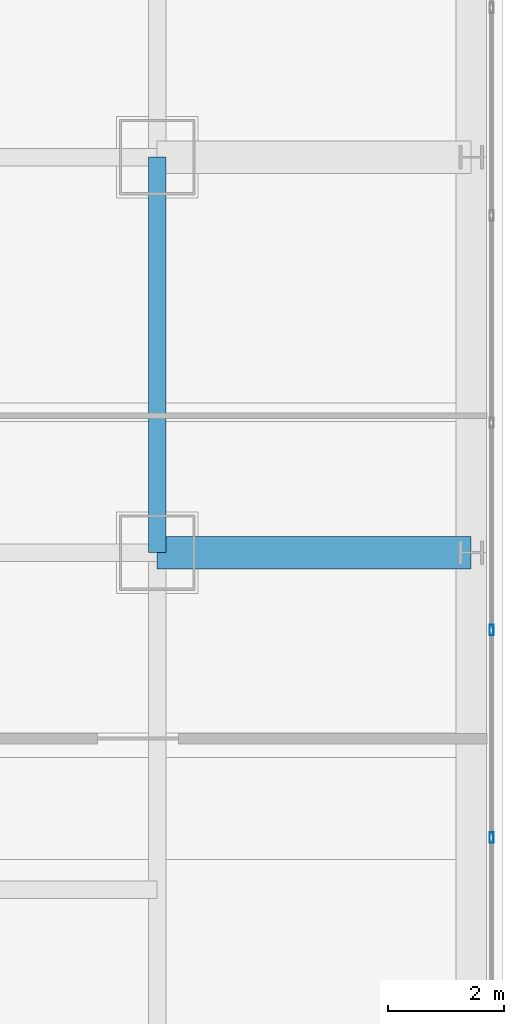
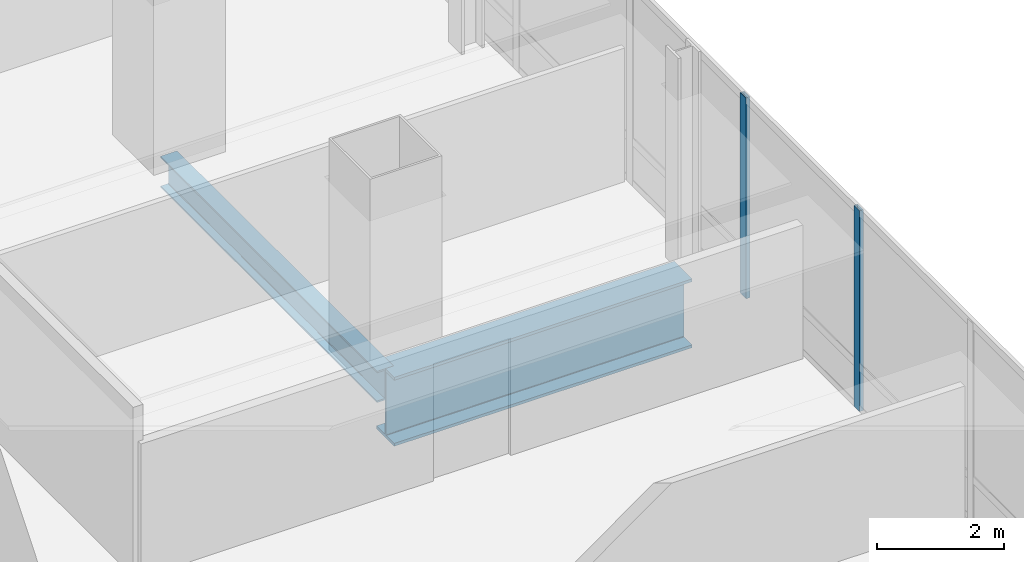
# One storey, part 17 of 42: 2 beams, 2 members, 1 element without a shape of its own.
"""IFC4 building model written with IfcOpenShell, lengths in metres."""

from ifc_helpers import new_model, si_unit, direction, frame, origin, origin_2d, place, context, subcontext, project, spatial, hollow_rectangle, i_section, extrude, material, material_profile, profile_set, type_object, element, aggregate, save


model = new_model("IFC4")

# Units and contexts
model_context = context("Model", 3, precision=1e-05, world=origin(), true_north=direction((0.0, 1.0)))
body_context = subcontext(model_context, "Body", "Model", "MODEL_VIEW")
ifc_project = project(units=[si_unit("LENGTHUNIT", "METRE"), si_unit("AREAUNIT", "SQUARE_METRE"), si_unit("VOLUMEUNIT", "CUBIC_METRE"), si_unit("PLANEANGLEUNIT", "RADIAN"), si_unit("MASSUNIT", "GRAM", prefix="KILO")], contexts=[model_context])

# Site, building, storey
site_placement = place(None, origin())
site = spatial("IfcSite", under=ifc_project, at=site_placement, CompositionType="ELEMENT")
building_placement = place(site_placement, origin())
building = spatial("IfcBuilding", under=site, at=building_placement, Name="Punatoya Terracotta Tower", CompositionType="ELEMENT")
storey_placement = place(building_placement, frame((0.0, 0.0, 259.5)))
storey = spatial("IfcBuildingStorey", under=building, at=storey_placement, Name="L61", CompositionType="ELEMENT", Elevation=259.5)

# Beams
ifc_material_1 = material(Name="Steel S355", Category="steel")
ifc_material_profile_1 = material_profile(ifc_material_1, i_section(OverallWidth=0.300048828125, OverallDepth=0.60009765625, WebThickness=0.015380859375, FlangeThickness=0.030029296875, FilletRadius=0.01806640625, at=origin_2d()))
ifc_profile_set_1 = profile_set([ifc_material_profile_1], Name="Steel S355")
beam_type_1 = type_object("IfcBeamType", Name="BM-PRI-600", PredefinedType="BEAM", material=ifc_profile_set_1)
beam_1_placement = place(storey_placement, frame((19.10009765625, -3.39990234375, -0.5), z_axis=(0.0, 1.0, 0.0), x_axis=(-1.0, 0.0, 0.0)))
element("IfcBeam", 1, at=beam_1_placement, inside=storey, type_object=beam_type_1, Name="BM-L61-RG-E2", PredefinedType="BEAM", context=body_context, shape_type="SweptSolid", body=[
    extrude(i_section(OverallWidth=0.300048828125, OverallDepth=0.60009765625, WebThickness=0.015380859375, FlangeThickness=0.030029296875, FilletRadius=0.01806640625, at=origin_2d()), origin(), (0.0, 0.0, 1.0), 6.7998046875),
])
ifc_material_2 = material(Name="Steel S460", Category="steel")
ifc_material_profile_2 = material_profile(ifc_material_2, i_section(OverallWidth=0.56005859375, OverallDepth=1.320068359375, WebThickness=0.035888671875, FlangeThickness=0.054931640625, FilletRadius=0.01806640625, at=origin_2d()))
ifc_profile_set_2 = profile_set([ifc_material_profile_2], Name="Steel S460")
beam_type_2 = type_object("IfcBeamType", Name="BM-TG-BLK", PredefinedType="BEAM", material=ifc_profile_set_2)
beam_2_placement = place(storey_placement, frame((19.10009765625, -3.39990234375, -0.860107421875), z_axis=(1.0, 0.0, 0.0), x_axis=(0.0, 1.0, 0.0)))
element("IfcBeam", 2, at=beam_2_placement, inside=storey, type_object=beam_type_2, Name="BM-L61-CANT-E2", PredefinedType="BEAM", context=body_context, shape_type="SweptSolid", body=[
    extrude(i_section(OverallWidth=0.56005859375, OverallDepth=1.320068359375, WebThickness=0.035888671875, FlangeThickness=0.054931640625, FilletRadius=0.01806640625, at=origin_2d()), origin(), (0.0, 0.0, 1.0), 5.39990234375),
])

# Curtain wall, members
ifc_material_3 = material(Name="Aluminium 6063-T6 + Double Low-E Glass", Category="aluminium")
curtain_wall_type = type_object("IfcCurtainWallType", Name="CW-M3", PredefinedType="NOTDEFINED", material=ifc_material_3)
curtain_wall_placement = place(storey_placement, origin())
curtain_wall = element("IfcCurtainWall", 3, at=curtain_wall_placement, inside=storey, type_object=curtain_wall_type, Name="L61 Curtain Wall CW-L61-E05-1", PredefinedType="NOTDEFINED")
ifc_material_4 = material(Name="Aluminium 6063-T6", Category="aluminium")
ifc_material_profile_3 = material_profile(ifc_material_4, hollow_rectangle(XDim=0.070068359375, YDim=0.179931640625, WallThickness=0.00390625, at=origin_2d()))
ifc_profile_set_3 = profile_set([ifc_material_profile_3], Name="Aluminium 6063-T6")
member_type = type_object("IfcMemberType", Name="CW-MUL-M3", PredefinedType="MULLION", material=ifc_profile_set_3)
member_1_placement = place(storey_placement, frame((24.85009765625, -8.302001953125, 0.0), z_axis=(0.0, 0.0, 1.0), x_axis=(1.0, 0.0, 0.0)))
member_1 = element("IfcMember", 4, at=member_1_placement, type_object=member_type, Name="CW-L61-E05-1 Mullion 02", PredefinedType="MULLION", context=body_context, shape_type="SweptSolid", body=[
    extrude(hollow_rectangle(XDim=0.070068359375, YDim=0.179931640625, WallThickness=0.00390625, at=origin_2d()), origin(), (0.0, 0.0, 1.0), 3.85009765625),
])
member_2_placement = place(storey_placement, frame((24.85009765625, -4.73486328125, 0.0), z_axis=(0.0, 0.0, 1.0), x_axis=(1.0, 0.0, 0.0)))
member_2 = element("IfcMember", 5, at=member_2_placement, type_object=member_type, Name="CW-L61-E05-1 Mullion 03", PredefinedType="MULLION", context=body_context, shape_type="SweptSolid", body=[
    extrude(hollow_rectangle(XDim=0.070068359375, YDim=0.179931640625, WallThickness=0.00390625, at=origin_2d()), origin(), (0.0, 0.0, 1.0), 3.85009765625),
])
aggregate(curtain_wall, [member_1, member_2])

save(model, "model.ifc")
